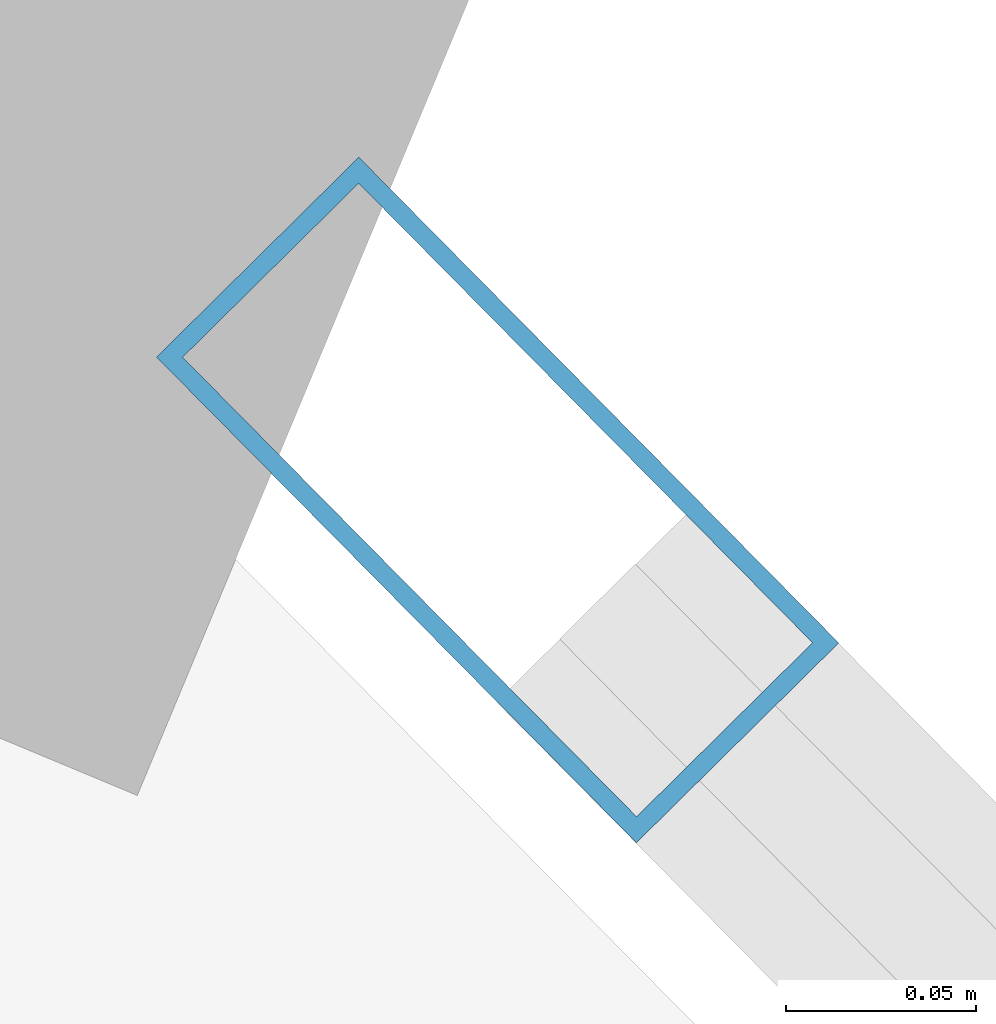
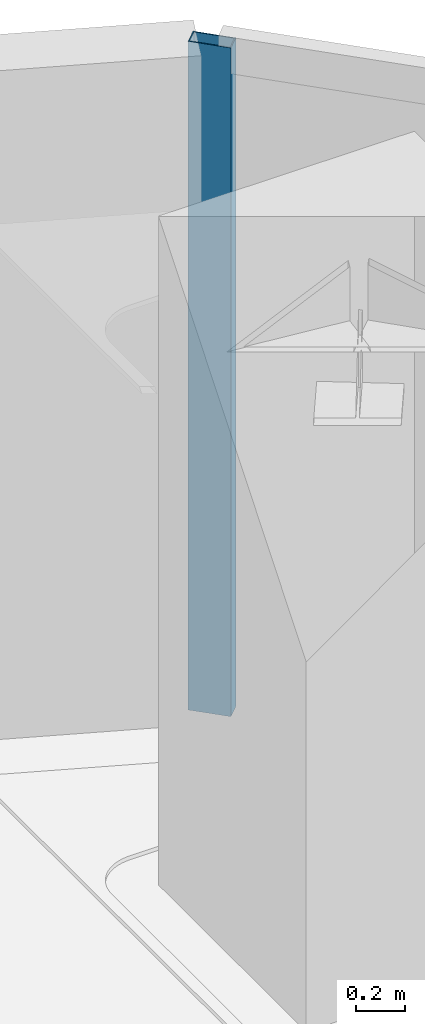
# One storey, part 17 of 23: 1 member, 1 element without a shape of its own.
"""IFC4 building model written with IfcOpenShell, lengths in metres."""

from ifc_helpers import new_model, si_unit, direction, frame, origin, origin_2d, place, context, subcontext, project, spatial, hollow_rectangle, extrude, source, transform, mapped, material, layer, layer_set, material_profile, profile_set, type_object, type_shapes, element, aggregate, save


model = new_model("IFC4")

# Units and contexts
model_context = context("Model", 3, precision=1e-05, world=origin(), true_north=direction((0.0, 1.0)))
body_context = subcontext(model_context, "Body", "Model", "MODEL_VIEW")
ifc_project = project(units=[si_unit("LENGTHUNIT", "METRE"), si_unit("AREAUNIT", "SQUARE_METRE"), si_unit("VOLUMEUNIT", "CUBIC_METRE"), si_unit("PLANEANGLEUNIT", "RADIAN"), si_unit("MASSUNIT", "GRAM", prefix="KILO")], contexts=[model_context])

# Site, building, storey
site_placement = place(None, origin())
site = spatial("IfcSite", under=ifc_project, at=site_placement, CompositionType="ELEMENT")
building_placement = place(site_placement, origin())
building = spatial("IfcBuilding", under=site, at=building_placement, Name="Talar Marvaseh", CompositionType="ELEMENT")
storey_placement = place(building_placement, frame((0.0, 0.0, 100.199951171875)))
storey = spatial("IfcBuildingStorey", under=building, at=storey_placement, Name="L25", CompositionType="ELEMENT", Elevation=100.199951171875)

# Curtain wall, member
ifc_material = material(Name="Architectural Aluminium", Category="aluminium")
ifc_layer = layer(ifc_material, 0.199951171875)
ifc_layer_set = layer_set([ifc_layer], Name="Architectural Aluminium")
curtain_wall_type = type_object("IfcCurtainWallType", Name="Unitised Acoustic Library Curtain Wall Z2", PredefinedType="NOTDEFINED", material=ifc_layer_set)
curtain_wall_placement = place(storey_placement, origin())
curtain_wall = element("IfcCurtainWall", 1, at=curtain_wall_placement, inside=storey, type_object=curtain_wall_type, Name="L25 Unitised Acoustic Library Curtain Wall Z2", PredefinedType="NOTDEFINED")
ifc_material_profile = material_profile(ifc_material, hollow_rectangle(XDim=0.074951171875, YDim=0.179931640625, WallThickness=0.0048828125, at=origin_2d()), Name="RHS180x75x5")
ifc_profile_set = profile_set([ifc_material_profile], Name="Architectural Aluminium")
member_type = type_object("IfcMemberType", Name="Unitised Curtain Wall Standard Mullion RHS180x75x5", PredefinedType="MULLION", material=ifc_profile_set)
shared_shape = source(origin(), body_context, "Body", "SweptSolid", [
    extrude(hollow_rectangle(XDim=0.074951171875, YDim=0.179931640625, WallThickness=0.0048828125, at=origin_2d()), origin(), (0.0, 0.0, 1.0), 3.31005859375),
])
type_shapes(member_type, [shared_shape])
member_placement = place(storey_placement, frame((37.07861328125, 44.042724609375, 0.0), z_axis=(0.0, 0.0, 1.0), x_axis=(0.711366317879, 0.702821429517, 0.0)))
member = element("IfcMember", 2, at=member_placement, type_object=member_type, Name="CW-Z2 mullion 1", PredefinedType="MULLION", context=body_context, shape_type="MappedRepresentation", body=[
    mapped(shared_shape, transform((0.0, 0.0, 0.0), x_axis=(1.0, 0.0, 0.0), y_axis=(0.0, 1.0, 0.0), z_axis=(0.0, 0.0, 1.0), scale=1.0)),
])
aggregate(curtain_wall, [member])

save(model, "model.ifc")
